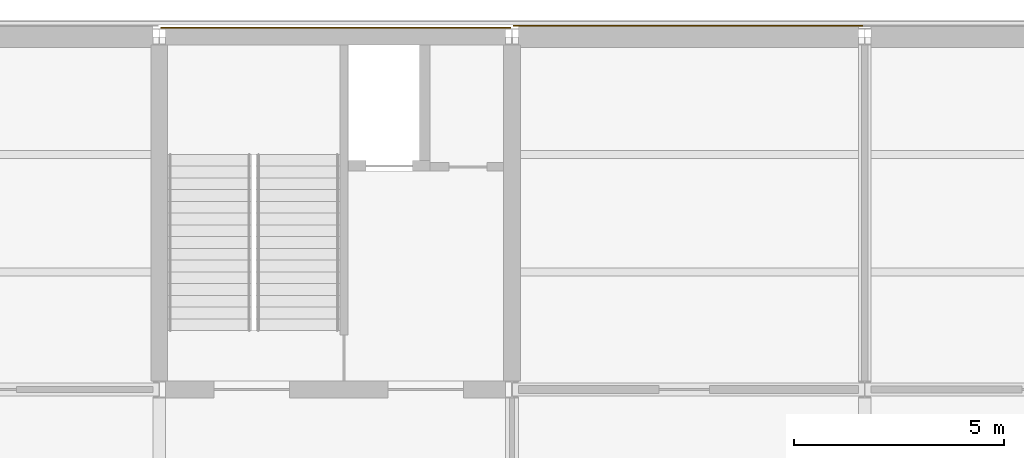
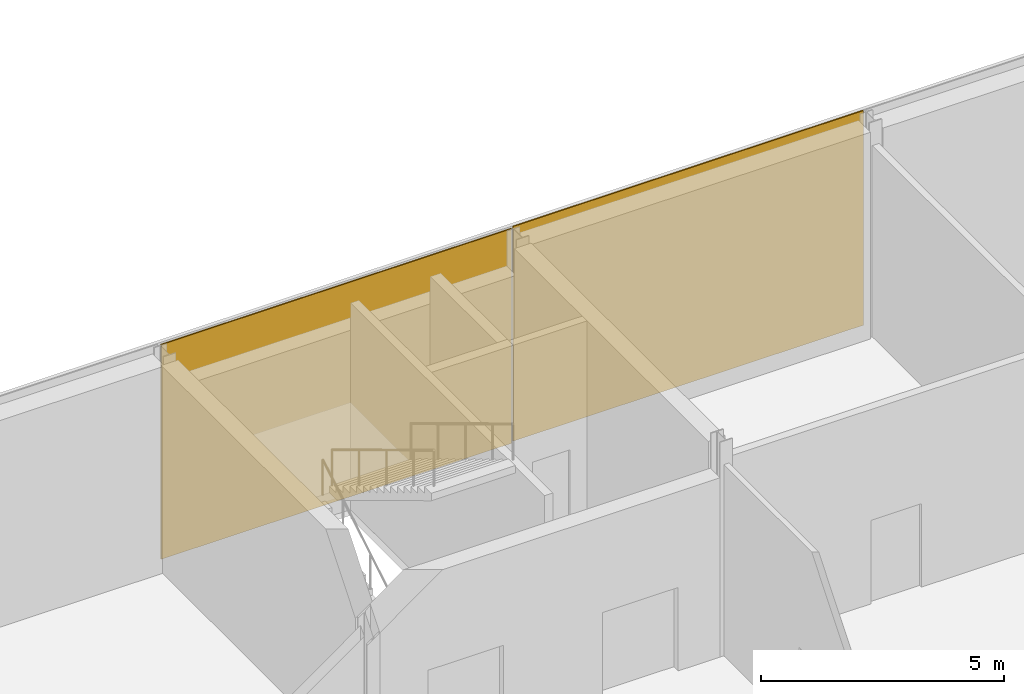
# One storey, part 43 of 57: 2 coverings.
"""IFC4 building model written with IfcOpenShell, lengths in metres."""

from ifc_helpers import new_model, si_unit, direction, frame, origin, origin_2d, place, context, subcontext, project, spatial, rectangle, extrude, material, layer, layer_set, type_object, element, save


model = new_model("IFC4")

# Units and contexts
model_context = context("Model", 3, precision=1e-05, world=origin(), true_north=direction((0.0, 1.0)))
body_context = subcontext(model_context, "Body", "Model", "MODEL_VIEW")
ifc_project = project(units=[si_unit("LENGTHUNIT", "METRE"), si_unit("AREAUNIT", "SQUARE_METRE"), si_unit("VOLUMEUNIT", "CUBIC_METRE"), si_unit("PLANEANGLEUNIT", "RADIAN"), si_unit("MASSUNIT", "GRAM", prefix="KILO")], contexts=[model_context])

# Site, building, storey
site_placement = place(None, origin())
site = spatial("IfcSite", under=ifc_project, at=site_placement, CompositionType="ELEMENT")
building_placement = place(site_placement, origin())
building = spatial("IfcBuilding", under=site, at=building_placement, Name="Galleria Vessillo Department Store", CompositionType="ELEMENT")
storey_placement = place(building_placement, frame((0.0, 0.0, 25.800048828125)))
storey = spatial("IfcBuildingStorey", under=building, at=storey_placement, Name="L05", CompositionType="ELEMENT", Elevation=25.800048828125)

# Coverings
ifc_material = material(Name="Lime plaster (intonaco) ochre")
ifc_layer = layer(ifc_material, 0.030029296875)
ifc_layer_set = layer_set([ifc_layer], Name="Lime plaster (intonaco) ochre")
covering_type = type_object("IfcCoveringType", Name="Lime plaster render 30 mm", PredefinedType="CLADDING", material=ifc_layer_set)
covering_1_placement = place(storey_placement, frame((37.800048828125, 63.215087890625, 0.0), z_axis=(0.0, 0.0, 1.0), x_axis=(1.0, 0.0, 0.0)))
element("IfcCovering", 1, at=covering_1_placement, inside=storey, type_object=covering_type, Name="Wall cladding S-CW-PC-NM-PARTY-L05", PredefinedType="CLADDING", context=body_context, shape_type="SweptSolid", body=[
    extrude(rectangle(XDim=8.33984375, YDim=0.030029296875, at=origin_2d()), origin(), (0.0, 0.0, 1.0), 5.39990234375),
])
covering_2_placement = place(storey_placement, frame((46.199951171875, 63.264892578125, 0.0), z_axis=(0.0, 0.0, 1.0), x_axis=(1.0, 0.0, 0.0)))
element("IfcCovering", 2, at=covering_2_placement, inside=storey, type_object=covering_type, Name="Wall cladding S-PN-L05-04", PredefinedType="CLADDING", context=body_context, shape_type="SweptSolid", body=[
    extrude(rectangle(XDim=8.340087890625, YDim=0.030029296875, at=origin_2d()), origin(), (0.0, 0.0, 1.0), 5.39990234375),
])

save(model, "model.ifc")
